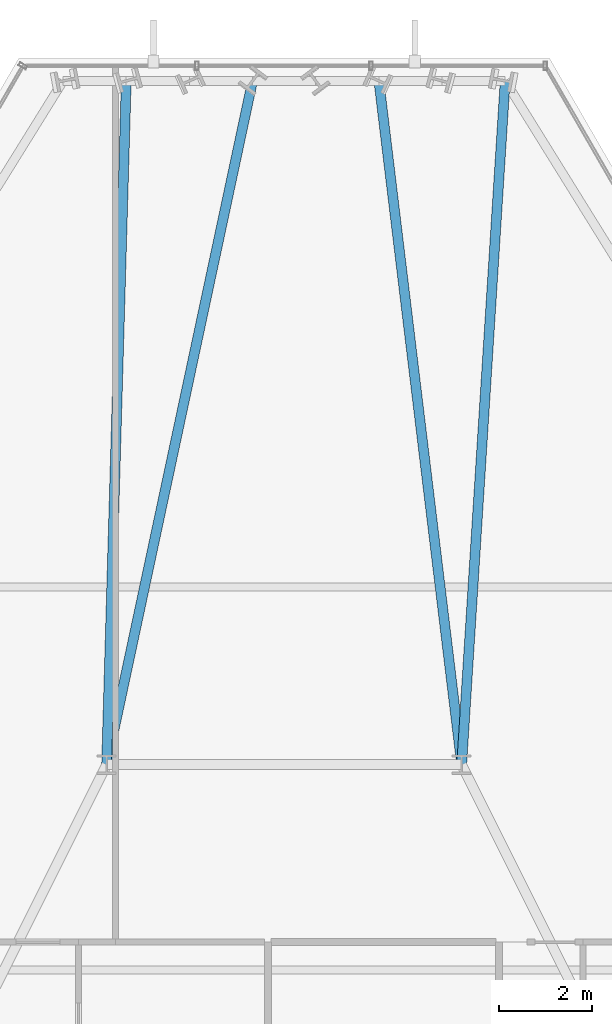
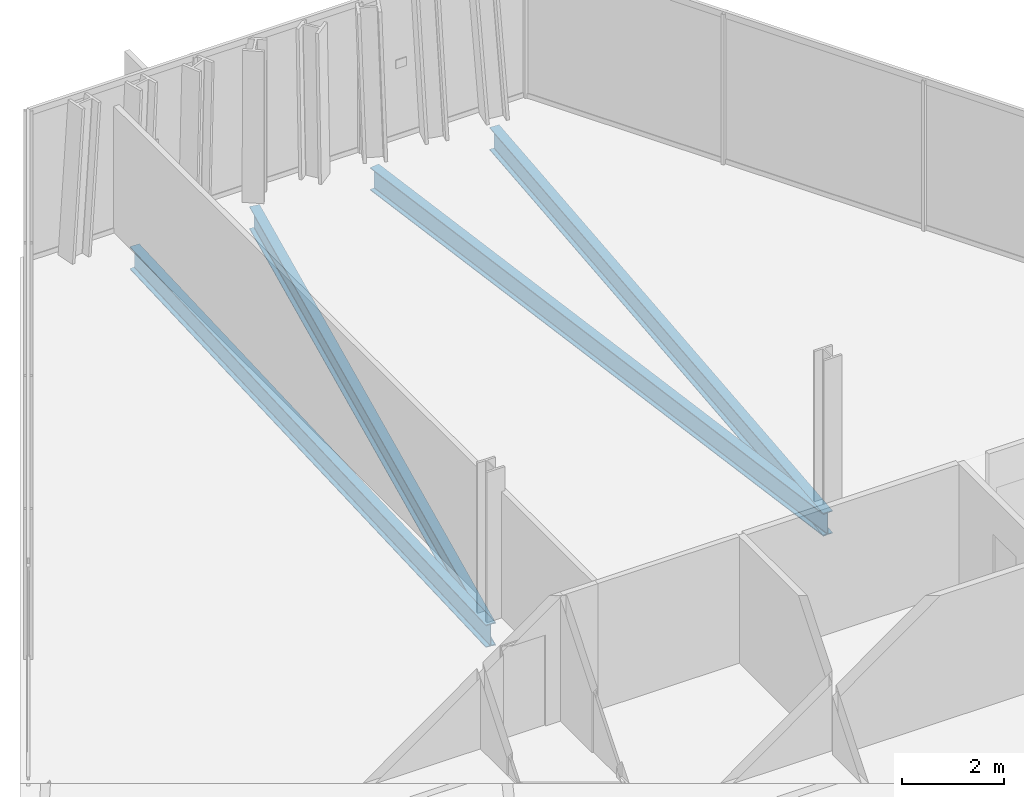
# One storey, part 22 of 32: 4 beams.
"""IFC4 building model written with IfcOpenShell, lengths in metres."""

from ifc_helpers import new_model, si_unit, direction, frame, origin, origin_2d, place, context, subcontext, project, spatial, i_section, extrude, material, material_profile, profile_set, type_object, element, save


model = new_model("IFC4")

# Units and contexts
model_context = context("Model", 3, precision=1e-05, world=origin(), true_north=direction((0.0, 1.0)))
body_context = subcontext(model_context, "Body", "Model", "MODEL_VIEW")
ifc_project = project(units=[si_unit("LENGTHUNIT", "METRE"), si_unit("AREAUNIT", "SQUARE_METRE"), si_unit("VOLUMEUNIT", "CUBIC_METRE"), si_unit("PLANEANGLEUNIT", "RADIAN"), si_unit("MASSUNIT", "GRAM", prefix="KILO")], contexts=[model_context])

# Site, building, storey
site_placement = place(None, origin())
site = spatial("IfcSite", under=ifc_project, at=site_placement, CompositionType="ELEMENT")
building_placement = place(site_placement, origin())
building = spatial("IfcBuilding", under=site, at=building_placement, Name="Ndaravel Arena Tower", CompositionType="ELEMENT")
storey_placement = place(building_placement, frame((0.0, 0.0, 157.39990234375)))
storey = spatial("IfcBuildingStorey", under=building, at=storey_placement, Name="L37", CompositionType="ELEMENT", Elevation=157.39990234375)

# Beams
ifc_material = material(Name="Steel S355", Category="steel")
ifc_material_profile = material_profile(ifc_material, i_section(OverallWidth=0.210693359375, OverallDepth=0.53955078125, WebThickness=0.01171875, FlangeThickness=0.018798828125, FilletRadius=0.0126953125, at=origin_2d()), Name="UB 533x210x109")
ifc_profile_set = profile_set([ifc_material_profile], Name="Steel S355")
beam_type = type_object("IfcBeamType", Name="BM-GIRD-UB533", PredefinedType="BEAM", material=ifc_profile_set)
beam_1_placement = place(storey_placement, frame((46.731201171875, 45.833740234375, -0.489501953125), z_axis=(-0.063501873165, -0.997981719324, 0.0), x_axis=(0.997981719324, -0.063501873165, 0.0)))
element("IfcBeam", 1, at=beam_1_placement, inside=storey, type_object=beam_type, Name="L37 Radial Floor Girder FG-11", PredefinedType="BEAM", context=body_context, shape_type="SweptSolid", body=[
    extrude(i_section(OverallWidth=0.210693359375, OverallDepth=0.53955078125, WebThickness=0.01171875, FlangeThickness=0.018798828125, FilletRadius=0.0126953125, at=origin_2d()), origin(), (0.0, 0.0, 1.0), 14.663330078125),
])
beam_2_placement = place(storey_placement, frame((44.027587890625, 45.833740234375, -0.489501953125), z_axis=(0.120242335277, -0.99274456977, 0.0), x_axis=(0.99274456977, 0.120242335277, 0.0)))
element("IfcBeam", 2, at=beam_2_placement, inside=storey, type_object=beam_type, Name="L37 Radial Floor Girder FG-13", PredefinedType="BEAM", context=body_context, shape_type="SweptSolid", body=[
    extrude(i_section(OverallWidth=0.210693359375, OverallDepth=0.53955078125, WebThickness=0.01171875, FlangeThickness=0.018798828125, FilletRadius=0.0126953125, at=origin_2d()), origin(), (0.0, 0.0, 1.0), 14.74072265625),
])
beam_3_placement = place(storey_placement, frame((41.32421875, 45.833740234375, -0.489501953125), z_axis=(-0.208791402451, -0.977960198711, 0.0), x_axis=(0.977960198711, -0.208791402451, 0.0)))
element("IfcBeam", 3, at=beam_3_placement, inside=storey, type_object=beam_type, Name="L37 Radial Floor Girder FG-15", PredefinedType="BEAM", context=body_context, shape_type="SweptSolid", body=[
    extrude(i_section(OverallWidth=0.210693359375, OverallDepth=0.53955078125, WebThickness=0.01171875, FlangeThickness=0.018798828125, FilletRadius=0.0126953125, at=origin_2d()), origin(), (0.0, 0.0, 1.0), 14.963623046875),
])
beam_4_placement = place(storey_placement, frame((38.62060546875, 45.833740234375, -0.489501953125), z_axis=(-0.028733543285, -0.999587106505, 0.0), x_axis=(0.999587106505, -0.028733543285, 0.0)))
element("IfcBeam", 4, at=beam_4_placement, inside=storey, type_object=beam_type, Name="L37 Radial Floor Girder FG-17", PredefinedType="BEAM", context=body_context, shape_type="SweptSolid", body=[
    extrude(i_section(OverallWidth=0.210693359375, OverallDepth=0.53955078125, WebThickness=0.01171875, FlangeThickness=0.018798828125, FilletRadius=0.0126953125, at=origin_2d()), origin(), (0.0, 0.0, 1.0), 14.639892578125),
])

save(model, "model.ifc")
